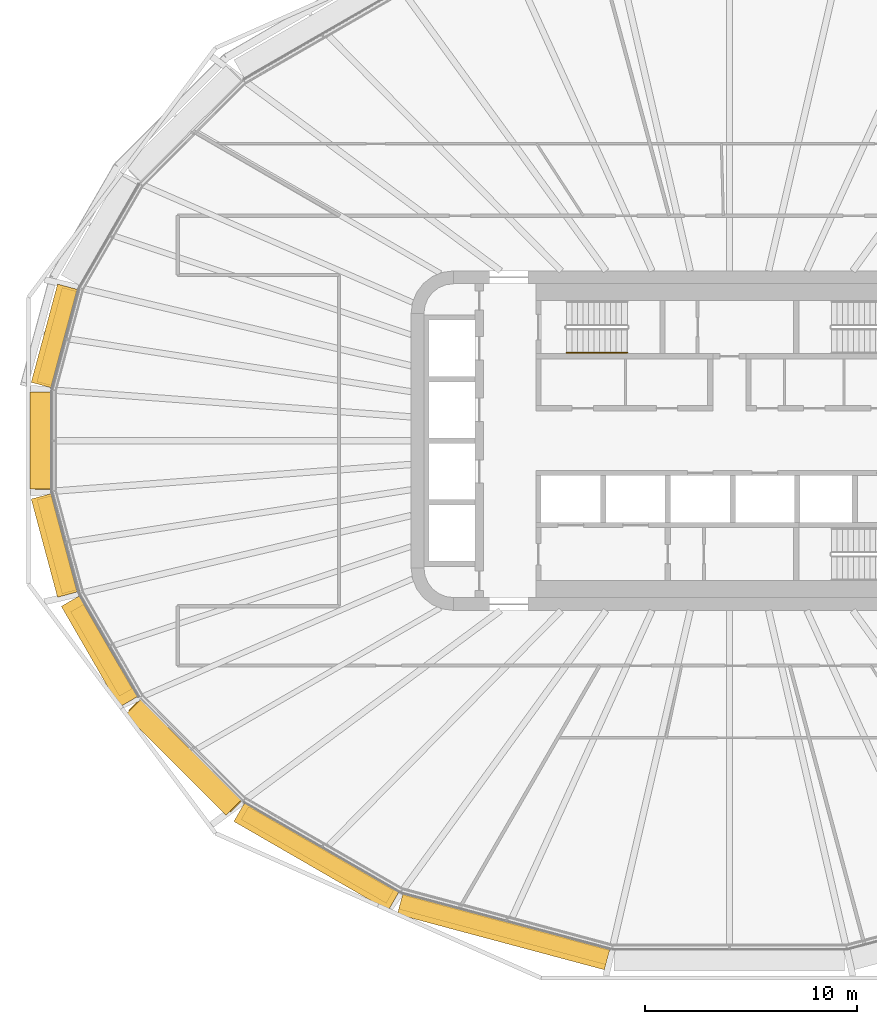
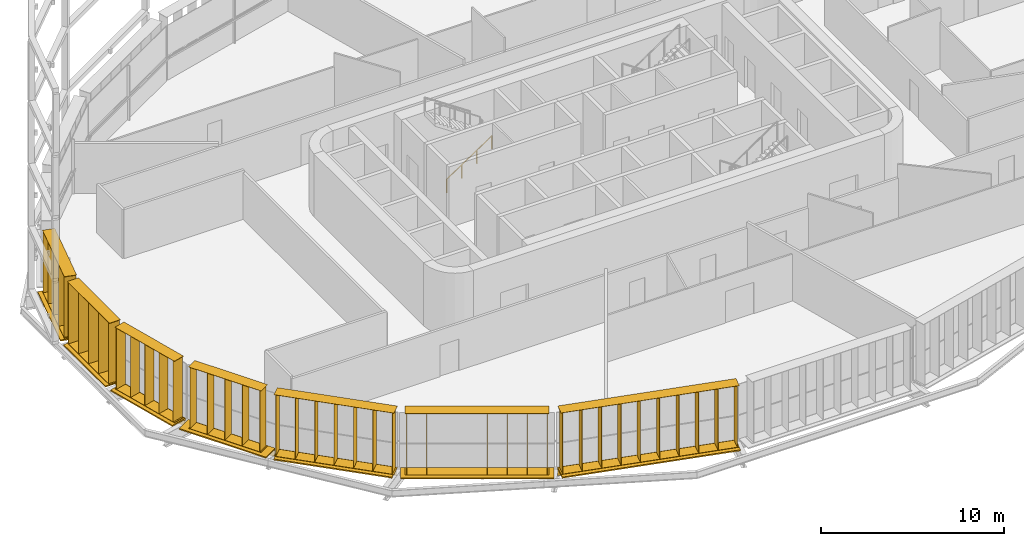
# One storey, part 20 of 26: 14 shading devices, 1 railing.
"""IFC4 building model written with IfcOpenShell, lengths in metres."""

from ifc_helpers import new_model, si_unit, direction, frame, origin, origin_2d, place, context, subcontext, project, spatial, rectangle, circle, extrude, material, type_object, element, save


model = new_model("IFC4")

# Units and contexts
model_context = context("Model", 3, precision=1e-05, world=origin(), true_north=direction((0.0, 1.0)))
body_context = subcontext(model_context, "Body", "Model", "MODEL_VIEW")
ifc_project = project(units=[si_unit("LENGTHUNIT", "METRE"), si_unit("AREAUNIT", "SQUARE_METRE"), si_unit("VOLUMEUNIT", "CUBIC_METRE"), si_unit("PLANEANGLEUNIT", "RADIAN"), si_unit("MASSUNIT", "GRAM", prefix="KILO")], contexts=[model_context])

# Site, building, storey
site_placement = place(None, origin())
site = spatial("IfcSite", under=ifc_project, at=site_placement, CompositionType="ELEMENT")
building_placement = place(site_placement, origin())
building = spatial("IfcBuilding", under=site, at=building_placement, Name="Sahrelin Media Tower", CompositionType="ELEMENT")
storey_placement = place(building_placement, frame((0.0, 0.0, 102.0)))
storey = spatial("IfcBuildingStorey", under=building, at=storey_placement, Name="L19", CompositionType="ELEMENT", Elevation=102.0)

# Shading devices
ifc_material_1 = material(Name="Champagne anodised aluminium 6063-T6", Category="aluminium")
shading_device_type_1 = type_object("IfcShadingDeviceType", Name="Fin cassette", PredefinedType="USERDEFINED", material=ifc_material_1)
placement_1 = place(storey_placement, frame((-31.298095703125, 4.798828125, 0.0), z_axis=(0.0, 0.0, 1.0), x_axis=(0.258807731996, 0.965928857556, 0.0)))
element("IfcShadingDevice", 1, at=placement_1, inside=storey, type_object=shading_device_type_1, Name="L19:FIN:L19-11", ObjectType="FIN", PredefinedType="USERDEFINED", context=body_context, shape_type="SweptSolid", body=[
    extrude(rectangle(XDim=4.60009765625, YDim=0.699951171875, at=origin_2d()), frame((0.0, 0.419921875, 0.0)), (0.0, 0.0, 1.0), 0.02001953125),
    extrude(rectangle(XDim=4.60009765625, YDim=0.699951171875, at=origin_2d()), frame((0.0, 0.419921875, 4.10009765625)), (0.0, 0.0, 1.0), 0.02001953125),
    extrude(rectangle(XDim=0.02001953125, YDim=0.699951171875, at=origin_2d()), frame((-2.199951171875, 0.419921875, 0.010009765625), z_axis=(0.0, 0.0, 1.0), x_axis=(1.0, 0.0, 0.0)), (0.0, 0.0, 1.0), 4.10009765625),
    extrude(rectangle(XDim=0.02001953125, YDim=0.699951171875, at=origin_2d()), frame((-1.10009765625, 0.419921875, 0.010009765625), z_axis=(0.0, 0.0, 1.0), x_axis=(1.0, 0.0, 0.0)), (0.0, 0.0, 1.0), 4.10009765625),
    extrude(rectangle(XDim=0.02001953125, YDim=0.699951171875, at=origin_2d()), frame((0.0, 0.419921875, 0.010009765625), z_axis=(0.0, 0.0, 1.0), x_axis=(1.0, 0.0, 0.0)), (0.0, 0.0, 1.0), 4.10009765625),
    extrude(rectangle(XDim=0.02001953125, YDim=0.699951171875, at=origin_2d()), frame((1.10009765625, 0.419921875, 0.010009765625), z_axis=(0.0, 0.0, 1.0), x_axis=(1.0, 0.0, 0.0)), (0.0, 0.0, 1.0), 4.10009765625),
    extrude(rectangle(XDim=0.02001953125, YDim=0.699951171875, at=origin_2d()), frame((2.199951171875, 0.419921875, 0.010009765625), z_axis=(0.0, 0.0, 1.0), x_axis=(1.0, 0.0, 0.0)), (0.0, 0.0, 1.0), 4.10009765625),
])
placement_2 = place(storey_placement, frame((-31.9443359375, 0.0, 0.0), z_axis=(0.0, 0.0, 1.0), x_axis=(0.0, 1.0, 0.0)))
element("IfcShadingDevice", 2, at=placement_2, inside=storey, type_object=shading_device_type_1, Name="L19:FIN:L19-12", ObjectType="FIN", PredefinedType="USERDEFINED", context=body_context, shape_type="SweptSolid", body=[
    extrude(rectangle(XDim=4.60009765625, YDim=0.699951171875, at=origin_2d()), frame((0.0, 0.419921875, 0.0)), (0.0, 0.0, 1.0), 0.02001953125),
    extrude(rectangle(XDim=4.60009765625, YDim=0.699951171875, at=origin_2d()), frame((0.0, 0.419921875, 4.10009765625)), (0.0, 0.0, 1.0), 0.02001953125),
    extrude(rectangle(XDim=0.02001953125, YDim=0.699951171875, at=origin_2d()), frame((-2.199951171875, 0.419921875, 0.010009765625), z_axis=(0.0, 0.0, 1.0), x_axis=(1.0, 0.0, 0.0)), (0.0, 0.0, 1.0), 4.10009765625),
    extrude(rectangle(XDim=0.02001953125, YDim=0.699951171875, at=origin_2d()), frame((-1.10009765625, 0.419921875, 0.010009765625), z_axis=(0.0, 0.0, 1.0), x_axis=(1.0, 0.0, 0.0)), (0.0, 0.0, 1.0), 4.10009765625),
    extrude(rectangle(XDim=0.02001953125, YDim=0.699951171875, at=origin_2d()), frame((0.0, 0.419921875, 0.010009765625), z_axis=(0.0, 0.0, 1.0), x_axis=(1.0, 0.0, 0.0)), (0.0, 0.0, 1.0), 4.10009765625),
    extrude(rectangle(XDim=0.02001953125, YDim=0.699951171875, at=origin_2d()), frame((1.10009765625, 0.419921875, 0.010009765625), z_axis=(0.0, 0.0, 1.0), x_axis=(1.0, 0.0, 0.0)), (0.0, 0.0, 1.0), 4.10009765625),
    extrude(rectangle(XDim=0.02001953125, YDim=0.699951171875, at=origin_2d()), frame((2.199951171875, 0.419921875, 0.010009765625), z_axis=(0.0, 0.0, 1.0), x_axis=(1.0, 0.0, 0.0)), (0.0, 0.0, 1.0), 4.10009765625),
])
placement_3 = place(storey_placement, frame((-31.298095703125, -4.798828125, 0.0), z_axis=(0.0, 0.0, 1.0), x_axis=(-0.258807731996, 0.965928857556, 0.0)))
element("IfcShadingDevice", 3, at=placement_3, inside=storey, type_object=shading_device_type_1, Name="L19:FIN:L19-13", ObjectType="FIN", PredefinedType="USERDEFINED", context=body_context, shape_type="SweptSolid", body=[
    extrude(rectangle(XDim=4.60009765625, YDim=0.699951171875, at=origin_2d()), frame((0.0, 0.419921875, 0.0)), (0.0, 0.0, 1.0), 0.02001953125),
    extrude(rectangle(XDim=4.60009765625, YDim=0.699951171875, at=origin_2d()), frame((0.0, 0.419921875, 4.10009765625)), (0.0, 0.0, 1.0), 0.02001953125),
    extrude(rectangle(XDim=0.02001953125, YDim=0.699951171875, at=origin_2d()), frame((-2.199951171875, 0.419921875, 0.010009765625), z_axis=(0.0, 0.0, 1.0), x_axis=(1.0, 0.0, 0.0)), (0.0, 0.0, 1.0), 4.10009765625),
    extrude(rectangle(XDim=0.02001953125, YDim=0.699951171875, at=origin_2d()), frame((-1.10009765625, 0.419921875, 0.010009765625), z_axis=(0.0, 0.0, 1.0), x_axis=(1.0, 0.0, 0.0)), (0.0, 0.0, 1.0), 4.10009765625),
    extrude(rectangle(XDim=0.02001953125, YDim=0.699951171875, at=origin_2d()), frame((0.0, 0.419921875, 0.010009765625), z_axis=(0.0, 0.0, 1.0), x_axis=(1.0, 0.0, 0.0)), (0.0, 0.0, 1.0), 4.10009765625),
    extrude(rectangle(XDim=0.02001953125, YDim=0.699951171875, at=origin_2d()), frame((1.10009765625, 0.419921875, 0.010009765625), z_axis=(0.0, 0.0, 1.0), x_axis=(1.0, 0.0, 0.0)), (0.0, 0.0, 1.0), 4.10009765625),
    extrude(rectangle(XDim=0.02001953125, YDim=0.699951171875, at=origin_2d()), frame((2.199951171875, 0.419921875, 0.010009765625), z_axis=(0.0, 0.0, 1.0), x_axis=(1.0, 0.0, 0.0)), (0.0, 0.0, 1.0), 4.10009765625),
])
placement_4 = place(storey_placement, frame((-29.231689453125, -9.67041015625, 0.0), z_axis=(0.0, 0.0, 1.0), x_axis=(-0.500011000363, 0.866019052629, 0.0)))
element("IfcShadingDevice", 4, at=placement_4, inside=storey, type_object=shading_device_type_1, Name="L19:FIN:L19-14", ObjectType="FIN", PredefinedType="USERDEFINED", context=body_context, shape_type="SweptSolid", body=[
    extrude(rectangle(XDim=4.60009765625, YDim=0.699951171875, at=origin_2d()), frame((0.0, 0.419921875, 0.0)), (0.0, 0.0, 1.0), 0.02001953125),
    extrude(rectangle(XDim=4.60009765625, YDim=0.699951171875, at=origin_2d()), frame((0.0, 0.419921875, 4.10009765625)), (0.0, 0.0, 1.0), 0.02001953125),
    extrude(rectangle(XDim=0.02001953125, YDim=0.699951171875, at=origin_2d()), frame((-2.199951171875, 0.419921875, 0.010009765625), z_axis=(0.0, 0.0, 1.0), x_axis=(1.0, 0.0, 0.0)), (0.0, 0.0, 1.0), 4.10009765625),
    extrude(rectangle(XDim=0.02001953125, YDim=0.699951171875, at=origin_2d()), frame((-1.10009765625, 0.419921875, 0.010009765625), z_axis=(0.0, 0.0, 1.0), x_axis=(1.0, 0.0, 0.0)), (0.0, 0.0, 1.0), 4.10009765625),
    extrude(rectangle(XDim=0.02001953125, YDim=0.699951171875, at=origin_2d()), frame((0.0, 0.419921875, 0.010009765625), z_axis=(0.0, 0.0, 1.0), x_axis=(1.0, 0.0, 0.0)), (0.0, 0.0, 1.0), 4.10009765625),
    extrude(rectangle(XDim=0.02001953125, YDim=0.699951171875, at=origin_2d()), frame((1.10009765625, 0.419921875, 0.010009765625), z_axis=(0.0, 0.0, 1.0), x_axis=(1.0, 0.0, 0.0)), (0.0, 0.0, 1.0), 4.10009765625),
    extrude(rectangle(XDim=0.02001953125, YDim=0.699951171875, at=origin_2d()), frame((2.199951171875, 0.419921875, 0.010009765625), z_axis=(0.0, 0.0, 1.0), x_axis=(1.0, 0.0, 0.0)), (0.0, 0.0, 1.0), 4.10009765625),
])
placement_5 = place(storey_placement, frame((-25.371337890625, -14.5703125, 0.0), z_axis=(0.0, 0.0, 1.0), x_axis=(-0.707106781187, 0.707106781187, 0.0)))
element("IfcShadingDevice", 5, at=placement_5, inside=storey, type_object=shading_device_type_1, Name="L19:FIN:L19-15", ObjectType="FIN", PredefinedType="USERDEFINED", context=body_context, shape_type="SweptSolid", body=[
    extrude(rectangle(XDim=6.800048828125, YDim=0.699951171875, at=origin_2d()), frame((0.0, 0.419921875, 0.0)), (0.0, 0.0, 1.0), 0.02001953125),
    extrude(rectangle(XDim=6.800048828125, YDim=0.699951171875, at=origin_2d()), frame((0.0, 0.419921875, 4.10009765625)), (0.0, 0.0, 1.0), 0.02001953125),
    extrude(rectangle(XDim=0.02001953125, YDim=0.699951171875, at=origin_2d()), frame((-3.300048828125, 0.419921875, 0.010009765625), z_axis=(0.0, 0.0, 1.0), x_axis=(1.0, 0.0, 0.0)), (0.0, 0.0, 1.0), 4.10009765625),
    extrude(rectangle(XDim=0.02001953125, YDim=0.699951171875, at=origin_2d()), frame((-2.199951171875, 0.419921875, 0.010009765625), z_axis=(0.0, 0.0, 1.0), x_axis=(1.0, 0.0, 0.0)), (0.0, 0.0, 1.0), 4.10009765625),
    extrude(rectangle(XDim=0.02001953125, YDim=0.699951171875, at=origin_2d()), frame((-1.10009765625, 0.419921875, 0.010009765625), z_axis=(0.0, 0.0, 1.0), x_axis=(1.0, 0.0, 0.0)), (0.0, 0.0, 1.0), 4.10009765625),
    extrude(rectangle(XDim=0.02001953125, YDim=0.699951171875, at=origin_2d()), frame((0.0, 0.419921875, 0.010009765625), z_axis=(0.0, 0.0, 1.0), x_axis=(1.0, 0.0, 0.0)), (0.0, 0.0, 1.0), 4.10009765625),
    extrude(rectangle(XDim=0.02001953125, YDim=0.699951171875, at=origin_2d()), frame((1.10009765625, 0.419921875, 0.010009765625), z_axis=(0.0, 0.0, 1.0), x_axis=(1.0, 0.0, 0.0)), (0.0, 0.0, 1.0), 4.10009765625),
    extrude(rectangle(XDim=0.02001953125, YDim=0.699951171875, at=origin_2d()), frame((2.199951171875, 0.419921875, 0.010009765625), z_axis=(0.0, 0.0, 1.0), x_axis=(1.0, 0.0, 0.0)), (0.0, 0.0, 1.0), 4.10009765625),
    extrude(rectangle(XDim=0.02001953125, YDim=0.699951171875, at=origin_2d()), frame((3.300048828125, 0.419921875, 0.010009765625), z_axis=(0.0, 0.0, 1.0), x_axis=(1.0, 0.0, 0.0)), (0.0, 0.0, 1.0), 4.10009765625),
])
placement_6 = place(storey_placement, frame((-19.20751953125, -19.160400390625, 0.0), z_axis=(0.0, 0.0, 1.0), x_axis=(-0.866019052629, 0.500011000363, 0.0)))
element("IfcShadingDevice", 6, at=placement_6, inside=storey, type_object=shading_device_type_1, Name="L19:FIN:L19-16", ObjectType="FIN", PredefinedType="USERDEFINED", context=body_context, shape_type="SweptSolid", body=[
    extrude(rectangle(XDim=7.89990234375, YDim=0.699951171875, at=origin_2d()), frame((0.0, 0.419921875, 0.0)), (0.0, 0.0, 1.0), 0.02001953125),
    extrude(rectangle(XDim=7.89990234375, YDim=0.699951171875, at=origin_2d()), frame((0.0, 0.419921875, 4.10009765625)), (0.0, 0.0, 1.0), 0.02001953125),
    extrude(rectangle(XDim=0.02001953125, YDim=0.699951171875, at=origin_2d()), frame((-3.85009765625, 0.419921875, 0.010009765625), z_axis=(0.0, 0.0, 1.0), x_axis=(1.0, 0.0, 0.0)), (0.0, 0.0, 1.0), 4.10009765625),
    extrude(rectangle(XDim=0.02001953125, YDim=0.699951171875, at=origin_2d()), frame((-2.75, 0.419921875, 0.010009765625), z_axis=(0.0, 0.0, 1.0), x_axis=(1.0, 0.0, 0.0)), (0.0, 0.0, 1.0), 4.10009765625),
    extrude(rectangle(XDim=0.02001953125, YDim=0.699951171875, at=origin_2d()), frame((-1.64990234375, 0.419921875, 0.010009765625), z_axis=(0.0, 0.0, 1.0), x_axis=(1.0, 0.0, 0.0)), (0.0, 0.0, 1.0), 4.10009765625),
    extrude(rectangle(XDim=0.02001953125, YDim=0.699951171875, at=origin_2d()), frame((-0.550048828125, 0.419921875, 0.010009765625), z_axis=(0.0, 0.0, 1.0), x_axis=(1.0, 0.0, 0.0)), (0.0, 0.0, 1.0), 4.10009765625),
    extrude(rectangle(XDim=0.02001953125, YDim=0.699951171875, at=origin_2d()), frame((0.550048828125, 0.419921875, 0.010009765625), z_axis=(0.0, 0.0, 1.0), x_axis=(1.0, 0.0, 0.0)), (0.0, 0.0, 1.0), 4.10009765625),
    extrude(rectangle(XDim=0.02001953125, YDim=0.699951171875, at=origin_2d()), frame((1.64990234375, 0.419921875, 0.010009765625), z_axis=(0.0, 0.0, 1.0), x_axis=(1.0, 0.0, 0.0)), (0.0, 0.0, 1.0), 4.10009765625),
    extrude(rectangle(XDim=0.02001953125, YDim=0.699951171875, at=origin_2d()), frame((2.75, 0.419921875, 0.010009765625), z_axis=(0.0, 0.0, 1.0), x_axis=(1.0, 0.0, 0.0)), (0.0, 0.0, 1.0), 4.10009765625),
    extrude(rectangle(XDim=0.02001953125, YDim=0.699951171875, at=origin_2d()), frame((3.85009765625, 0.419921875, 0.010009765625), z_axis=(0.0, 0.0, 1.0), x_axis=(1.0, 0.0, 0.0)), (0.0, 0.0, 1.0), 4.10009765625),
])
placement_7 = place(storey_placement, frame((-10.507080078125, -22.643798828125, 0.0), z_axis=(0.0, 0.0, 1.0), x_axis=(-0.965928857556, 0.258807731996, 0.0)))
element("IfcShadingDevice", 7, at=placement_7, inside=storey, type_object=shading_device_type_1, Name="L19:FIN:L19-17", ObjectType="FIN", PredefinedType="USERDEFINED", context=body_context, shape_type="SweptSolid", body=[
    extrude(rectangle(XDim=10.10009765625, YDim=0.699951171875, at=origin_2d()), frame((0.0, 0.419921875, 0.0)), (0.0, 0.0, 1.0), 0.02001953125),
    extrude(rectangle(XDim=10.10009765625, YDim=0.699951171875, at=origin_2d()), frame((0.0, 0.419921875, 4.10009765625)), (0.0, 0.0, 1.0), 0.02001953125),
    extrude(rectangle(XDim=0.02001953125, YDim=0.699951171875, at=origin_2d()), frame((-4.949951171875, 0.419921875, 0.010009765625), z_axis=(0.0, 0.0, 1.0), x_axis=(1.0, 0.0, 0.0)), (0.0, 0.0, 1.0), 4.10009765625),
    extrude(rectangle(XDim=0.02001953125, YDim=0.699951171875, at=origin_2d()), frame((-3.85009765625, 0.419921875, 0.010009765625), z_axis=(0.0, 0.0, 1.0), x_axis=(1.0, 0.0, 0.0)), (0.0, 0.0, 1.0), 4.10009765625),
    extrude(rectangle(XDim=0.02001953125, YDim=0.699951171875, at=origin_2d()), frame((-2.75, 0.419921875, 0.010009765625), z_axis=(0.0, 0.0, 1.0), x_axis=(1.0, 0.0, 0.0)), (0.0, 0.0, 1.0), 4.10009765625),
    extrude(rectangle(XDim=0.02001953125, YDim=0.699951171875, at=origin_2d()), frame((-1.64990234375, 0.419921875, 0.010009765625), z_axis=(0.0, 0.0, 1.0), x_axis=(1.0, 0.0, 0.0)), (0.0, 0.0, 1.0), 4.10009765625),
    extrude(rectangle(XDim=0.02001953125, YDim=0.699951171875, at=origin_2d()), frame((-0.550048828125, 0.419921875, 0.010009765625), z_axis=(0.0, 0.0, 1.0), x_axis=(1.0, 0.0, 0.0)), (0.0, 0.0, 1.0), 4.10009765625),
    extrude(rectangle(XDim=0.02001953125, YDim=0.699951171875, at=origin_2d()), frame((0.550048828125, 0.419921875, 0.010009765625), z_axis=(0.0, 0.0, 1.0), x_axis=(1.0, 0.0, 0.0)), (0.0, 0.0, 1.0), 4.10009765625),
    extrude(rectangle(XDim=0.02001953125, YDim=0.699951171875, at=origin_2d()), frame((1.64990234375, 0.419921875, 0.010009765625), z_axis=(0.0, 0.0, 1.0), x_axis=(1.0, 0.0, 0.0)), (0.0, 0.0, 1.0), 4.10009765625),
    extrude(rectangle(XDim=0.02001953125, YDim=0.699951171875, at=origin_2d()), frame((2.75, 0.419921875, 0.010009765625), z_axis=(0.0, 0.0, 1.0), x_axis=(1.0, 0.0, 0.0)), (0.0, 0.0, 1.0), 4.10009765625),
    extrude(rectangle(XDim=0.02001953125, YDim=0.699951171875, at=origin_2d()), frame((3.85009765625, 0.419921875, 0.010009765625), z_axis=(0.0, 0.0, 1.0), x_axis=(1.0, 0.0, 0.0)), (0.0, 0.0, 1.0), 4.10009765625),
    extrude(rectangle(XDim=0.02001953125, YDim=0.699951171875, at=origin_2d()), frame((4.949951171875, 0.419921875, 0.010009765625), z_axis=(0.0, 0.0, 1.0), x_axis=(1.0, 0.0, 0.0)), (0.0, 0.0, 1.0), 4.10009765625),
])

# Railing
ifc_material_2 = material(Name="Steel S355", Category="steel")
railing_type = type_object("IfcRailingType", Name="Stair handrail 900", PredefinedType="HANDRAIL", material=ifc_material_2)
railing_placement = place(storey_placement, frame((-7.675048828125, 4.14990234375, 0.175048828125)))
element("IfcRailing", 8, at=railing_placement, inside=storey, type_object=railing_type, Name="L19 ST1 stair handrail 1", PredefinedType="HANDRAIL", context=body_context, shape_type="SweptSolid", body=[
    extrude(circle(Radius=0.02392578125, at=origin_2d()), frame((0.0, 0.0, 0.8759765625), z_axis=(0.829590901723, 0.0, 0.558371682465), x_axis=(0.0, 1.0, 0.0)), (0.0, 0.0, 1.0), 3.447509765625),
    extrude(circle(Radius=0.02099609375, at=origin_2d()), origin(), (0.0, 0.0, 1.0), 0.851806640625),
    extrude(circle(Radius=0.02099609375, at=origin_2d()), frame((0.953369140625, 0.0, 0.6416015625)), (0.0, 0.0, 1.0), 0.851806640625),
    extrude(circle(Radius=0.02099609375, at=origin_2d()), frame((1.90673828125, 0.0, 1.283447265625)), (0.0, 0.0, 1.0), 0.851806640625),
    extrude(circle(Radius=0.02099609375, at=origin_2d()), frame((2.860107421875, 0.0, 1.925048828125)), (0.0, 0.0, 1.0), 0.851806640625),
])

# Shading devices
shading_device_type_2 = type_object("IfcShadingDeviceType", Name="Sunshade band", PredefinedType="USERDEFINED", material=ifc_material_1)
element("IfcShadingDevice", 9, at=placement_1, inside=storey, type_object=shading_device_type_2, Name="L19:SUN:L19-11", ObjectType="SUNSHADE", PredefinedType="USERDEFINED", context=body_context, shape_type="SweptSolid", body=[
    extrude(rectangle(XDim=4.793212890625, YDim=0.050048828125, at=origin_2d()), frame((0.0, 0.044921875, -0.55126953125)), (0.0, 0.0, 1.0), 0.471435546875),
    extrude(rectangle(XDim=4.793212890625, YDim=1.0, at=origin_2d()), frame((0.0, 0.52001953125, -0.080078125)), (0.0, 0.0, 1.0), 0.080078125),
    extrude(rectangle(XDim=0.10009765625, YDim=0.074951171875, at=origin_2d()), frame((-2.296630859375, -0.017578125, -0.47021484375)), (0.0, 0.0, 1.0), 0.300048828125),
    extrude(rectangle(XDim=0.10009765625, YDim=0.074951171875, at=origin_2d()), frame((-0.765380859375, -0.017578125, -0.47021484375)), (0.0, 0.0, 1.0), 0.300048828125),
    extrude(rectangle(XDim=0.10009765625, YDim=0.074951171875, at=origin_2d()), frame((0.765380859375, -0.017578125, -0.47021484375)), (0.0, 0.0, 1.0), 0.300048828125),
    extrude(rectangle(XDim=0.10009765625, YDim=0.074951171875, at=origin_2d()), frame((2.296630859375, -0.017578125, -0.47021484375)), (0.0, 0.0, 1.0), 0.300048828125),
])
element("IfcShadingDevice", 10, at=placement_2, inside=storey, type_object=shading_device_type_2, Name="L19:SUN:L19-12", ObjectType="SUNSHADE", PredefinedType="USERDEFINED", context=body_context, shape_type="SweptSolid", body=[
    extrude(rectangle(XDim=4.574462890625, YDim=0.050048828125, at=origin_2d()), frame((0.0, 0.044921875, -0.55126953125)), (0.0, 0.0, 1.0), 0.471435546875),
    extrude(rectangle(XDim=4.574462890625, YDim=1.0, at=origin_2d()), frame((0.0, 0.52001953125, -0.080078125)), (0.0, 0.0, 1.0), 0.080078125),
    extrude(rectangle(XDim=0.10009765625, YDim=0.074951171875, at=origin_2d()), frame((-2.187255859375, -0.017578125, -0.47021484375)), (0.0, 0.0, 1.0), 0.300048828125),
    extrude(rectangle(XDim=0.10009765625, YDim=0.074951171875, at=origin_2d()), frame((-0.72900390625, -0.017578125, -0.47021484375)), (0.0, 0.0, 1.0), 0.300048828125),
    extrude(rectangle(XDim=0.10009765625, YDim=0.074951171875, at=origin_2d()), frame((0.72900390625, -0.017578125, -0.47021484375)), (0.0, 0.0, 1.0), 0.300048828125),
    extrude(rectangle(XDim=0.10009765625, YDim=0.074951171875, at=origin_2d()), frame((2.187255859375, -0.017578125, -0.47021484375)), (0.0, 0.0, 1.0), 0.300048828125),
])
element("IfcShadingDevice", 11, at=placement_3, inside=storey, type_object=shading_device_type_2, Name="L19:SUN:L19-13", ObjectType="SUNSHADE", PredefinedType="USERDEFINED", context=body_context, shape_type="SweptSolid", body=[
    extrude(rectangle(XDim=4.793212890625, YDim=0.050048828125, at=origin_2d()), frame((0.0, 0.044921875, -0.55126953125)), (0.0, 0.0, 1.0), 0.471435546875),
    extrude(rectangle(XDim=4.793212890625, YDim=1.0, at=origin_2d()), frame((0.0, 0.52001953125, -0.080078125)), (0.0, 0.0, 1.0), 0.080078125),
    extrude(rectangle(XDim=0.10009765625, YDim=0.074951171875, at=origin_2d()), frame((-2.296630859375, -0.017578125, -0.47021484375)), (0.0, 0.0, 1.0), 0.300048828125),
    extrude(rectangle(XDim=0.10009765625, YDim=0.074951171875, at=origin_2d()), frame((-0.765380859375, -0.017578125, -0.47021484375)), (0.0, 0.0, 1.0), 0.300048828125),
    extrude(rectangle(XDim=0.10009765625, YDim=0.074951171875, at=origin_2d()), frame((0.765380859375, -0.017578125, -0.47021484375)), (0.0, 0.0, 1.0), 0.300048828125),
    extrude(rectangle(XDim=0.10009765625, YDim=0.074951171875, at=origin_2d()), frame((2.296630859375, -0.017578125, -0.47021484375)), (0.0, 0.0, 1.0), 0.300048828125),
])
element("IfcShadingDevice", 12, at=placement_4, inside=storey, type_object=shading_device_type_2, Name="L19:SUN:L19-14", ObjectType="SUNSHADE", PredefinedType="USERDEFINED", context=body_context, shape_type="SweptSolid", body=[
    extrude(rectangle(XDim=5.481201171875, YDim=0.050048828125, at=origin_2d()), frame((0.0, 0.044921875, -0.55126953125)), (0.0, 0.0, 1.0), 0.471435546875),
    extrude(rectangle(XDim=5.481201171875, YDim=1.0, at=origin_2d()), frame((0.0, 0.52001953125, -0.080078125)), (0.0, 0.0, 1.0), 0.080078125),
    extrude(rectangle(XDim=0.10009765625, YDim=0.074951171875, at=origin_2d()), frame((-2.640625, -0.017578125, -0.47021484375)), (0.0, 0.0, 1.0), 0.300048828125),
    extrude(rectangle(XDim=0.10009765625, YDim=0.074951171875, at=origin_2d()), frame((-0.880126953125, -0.017578125, -0.47021484375)), (0.0, 0.0, 1.0), 0.300048828125),
    extrude(rectangle(XDim=0.10009765625, YDim=0.074951171875, at=origin_2d()), frame((0.880126953125, -0.017578125, -0.47021484375)), (0.0, 0.0, 1.0), 0.300048828125),
    extrude(rectangle(XDim=0.10009765625, YDim=0.074951171875, at=origin_2d()), frame((2.640625, -0.017578125, -0.47021484375)), (0.0, 0.0, 1.0), 0.300048828125),
])
element("IfcShadingDevice", 13, at=placement_5, inside=storey, type_object=shading_device_type_2, Name="L19:SUN:L19-15", ObjectType="SUNSHADE", PredefinedType="USERDEFINED", context=body_context, shape_type="SweptSolid", body=[
    extrude(rectangle(XDim=6.701416015625, YDim=0.050048828125, at=origin_2d()), frame((0.0, 0.044921875, -0.55126953125)), (0.0, 0.0, 1.0), 0.471435546875),
    extrude(rectangle(XDim=6.701416015625, YDim=1.0, at=origin_2d()), frame((0.0, 0.52001953125, -0.080078125)), (0.0, 0.0, 1.0), 0.080078125),
    extrude(rectangle(XDim=0.10009765625, YDim=0.074951171875, at=origin_2d()), frame((-3.250732421875, -0.017578125, -0.47021484375)), (0.0, 0.0, 1.0), 0.300048828125),
    extrude(rectangle(XDim=0.10009765625, YDim=0.074951171875, at=origin_2d()), frame((-1.625244140625, -0.017578125, -0.47021484375)), (0.0, 0.0, 1.0), 0.300048828125),
    extrude(rectangle(XDim=0.10009765625, YDim=0.074951171875, at=origin_2d()), frame((0.0, -0.017578125, -0.47021484375)), (0.0, 0.0, 1.0), 0.300048828125),
    extrude(rectangle(XDim=0.10009765625, YDim=0.074951171875, at=origin_2d()), frame((1.625244140625, -0.017578125, -0.47021484375)), (0.0, 0.0, 1.0), 0.300048828125),
    extrude(rectangle(XDim=0.10009765625, YDim=0.074951171875, at=origin_2d()), frame((3.250732421875, -0.017578125, -0.47021484375)), (0.0, 0.0, 1.0), 0.300048828125),
])
element("IfcShadingDevice", 14, at=placement_6, inside=storey, type_object=shading_device_type_2, Name="L19:SUN:L19-16", ObjectType="SUNSHADE", PredefinedType="USERDEFINED", context=body_context, shape_type="SweptSolid", body=[
    extrude(rectangle(XDim=8.39990234375, YDim=0.050048828125, at=origin_2d()), frame((0.0, 0.044921875, -0.55126953125)), (0.0, 0.0, 1.0), 0.471435546875),
    extrude(rectangle(XDim=8.39990234375, YDim=1.0, at=origin_2d()), frame((0.0, 0.52001953125, -0.080078125)), (0.0, 0.0, 1.0), 0.080078125),
    extrude(rectangle(XDim=0.10009765625, YDim=0.074951171875, at=origin_2d()), frame((-4.10009765625, -0.017578125, -0.47021484375)), (0.0, 0.0, 1.0), 0.300048828125),
    extrude(rectangle(XDim=0.10009765625, YDim=0.074951171875, at=origin_2d()), frame((-2.4599609375, -0.017578125, -0.47021484375)), (0.0, 0.0, 1.0), 0.300048828125),
    extrude(rectangle(XDim=0.10009765625, YDim=0.074951171875, at=origin_2d()), frame((-0.820068359375, -0.017578125, -0.47021484375)), (0.0, 0.0, 1.0), 0.300048828125),
    extrude(rectangle(XDim=0.10009765625, YDim=0.074951171875, at=origin_2d()), frame((0.820068359375, -0.017578125, -0.47021484375)), (0.0, 0.0, 1.0), 0.300048828125),
    extrude(rectangle(XDim=0.10009765625, YDim=0.074951171875, at=origin_2d()), frame((2.4599609375, -0.017578125, -0.47021484375)), (0.0, 0.0, 1.0), 0.300048828125),
    extrude(rectangle(XDim=0.10009765625, YDim=0.074951171875, at=origin_2d()), frame((4.10009765625, -0.017578125, -0.47021484375)), (0.0, 0.0, 1.0), 0.300048828125),
])
element("IfcShadingDevice", 15, at=placement_7, inside=storey, type_object=shading_device_type_2, Name="L19:SUN:L19-17", ObjectType="SUNSHADE", PredefinedType="USERDEFINED", context=body_context, shape_type="SweptSolid", body=[
    extrude(rectangle(XDim=10.103759765625, YDim=0.050048828125, at=origin_2d()), frame((0.0, 0.044921875, -0.55126953125)), (0.0, 0.0, 1.0), 0.471435546875),
    extrude(rectangle(XDim=10.103759765625, YDim=1.0, at=origin_2d()), frame((0.0, 0.52001953125, -0.080078125)), (0.0, 0.0, 1.0), 0.080078125),
    extrude(rectangle(XDim=0.10009765625, YDim=0.074951171875, at=origin_2d()), frame((-4.951904296875, -0.017578125, -0.47021484375)), (0.0, 0.0, 1.0), 0.300048828125),
    extrude(rectangle(XDim=0.10009765625, YDim=0.074951171875, at=origin_2d()), frame((-3.30126953125, -0.017578125, -0.47021484375)), (0.0, 0.0, 1.0), 0.300048828125),
    extrude(rectangle(XDim=0.10009765625, YDim=0.074951171875, at=origin_2d()), frame((-1.650634765625, -0.017578125, -0.47021484375)), (0.0, 0.0, 1.0), 0.300048828125),
    extrude(rectangle(XDim=0.10009765625, YDim=0.074951171875, at=origin_2d()), frame((0.0, -0.017578125, -0.47021484375)), (0.0, 0.0, 1.0), 0.300048828125),
    extrude(rectangle(XDim=0.10009765625, YDim=0.074951171875, at=origin_2d()), frame((1.650634765625, -0.017578125, -0.47021484375)), (0.0, 0.0, 1.0), 0.300048828125),
    extrude(rectangle(XDim=0.10009765625, YDim=0.074951171875, at=origin_2d()), frame((3.30126953125, -0.017578125, -0.47021484375)), (0.0, 0.0, 1.0), 0.300048828125),
    extrude(rectangle(XDim=0.10009765625, YDim=0.074951171875, at=origin_2d()), frame((4.951904296875, -0.017578125, -0.47021484375)), (0.0, 0.0, 1.0), 0.300048828125),
])

save(model, "model.ifc")
